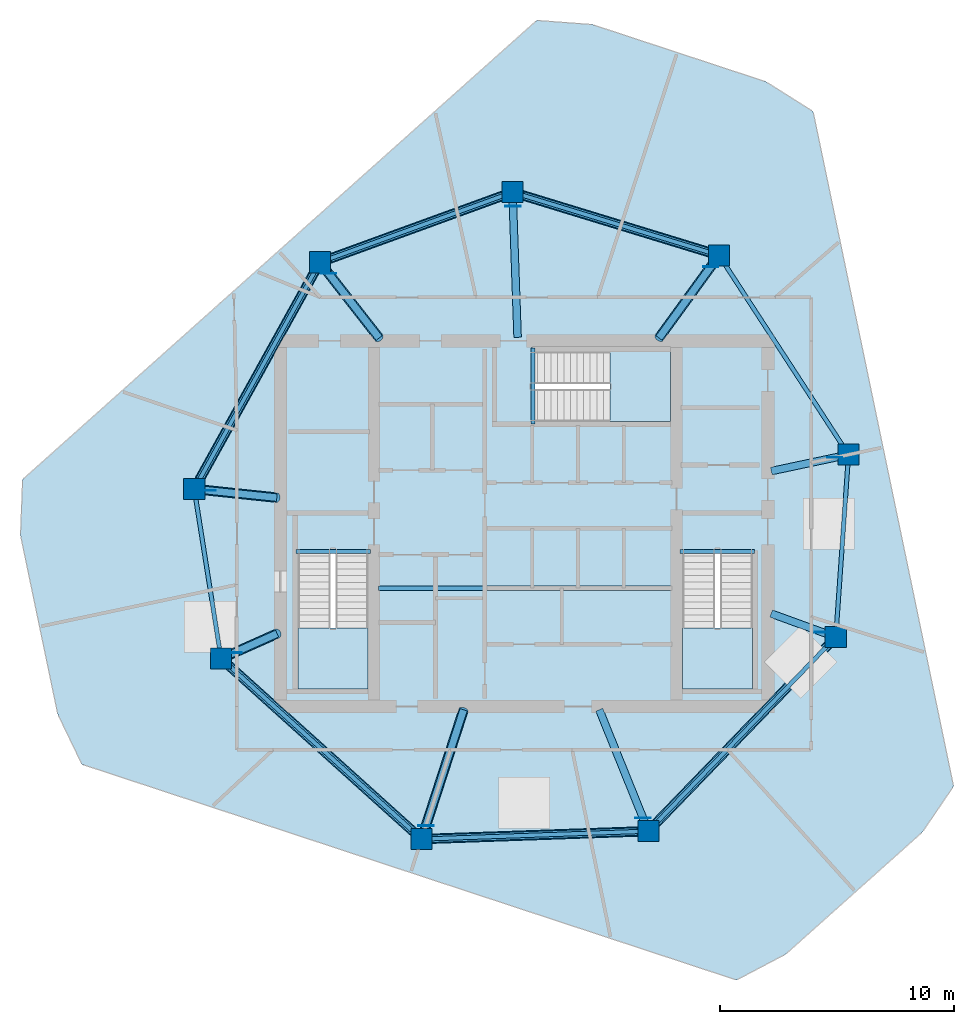
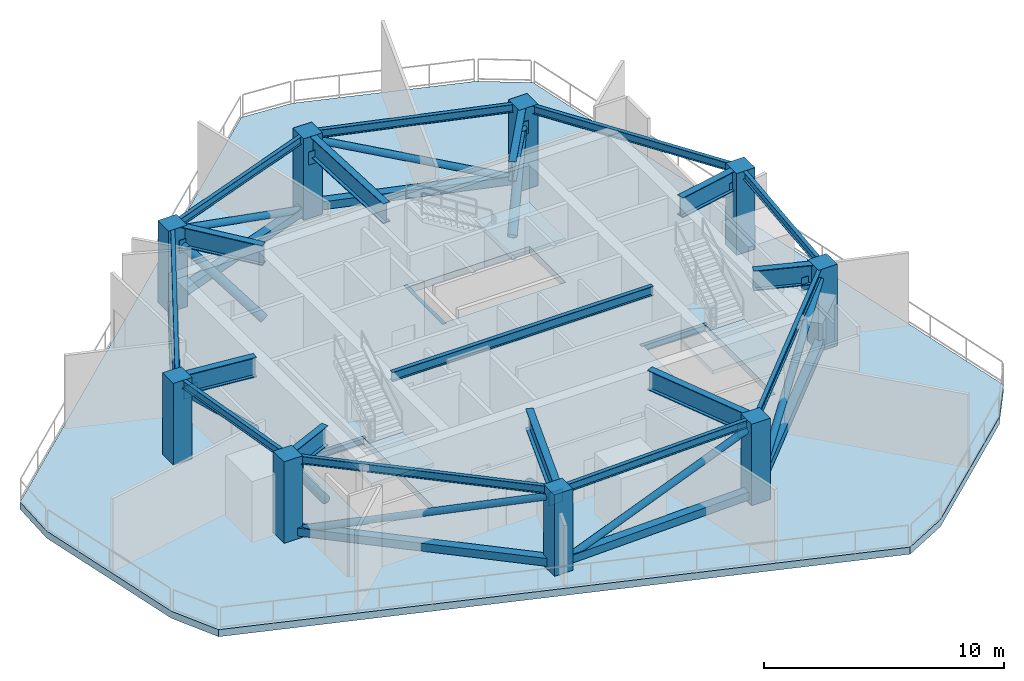
# One storey, part 1 of 6: 22 beams, 17 members, 9 columns, 9 plates, 4 slabs, 3 elements without a shape of their own.
"""IFC4 building model written with IfcOpenShell, lengths in metres."""

from ifc_helpers import new_model, si_unit, direction, frame, origin, origin_2d, place, context, subcontext, project, spatial, polyline, rectangle, hollow_rectangle, hollow_circle, i_section, outline, extrude, material, layer, layer_set, material_profile, profile_set, type_object, element, aggregate, save


model = new_model("IFC4")

# Units and contexts
model_context = context("Model", 3, precision=1e-05, world=origin(), true_north=direction((0.0, 1.0)))
body_context = subcontext(model_context, "Body", "Model", "MODEL_VIEW")
ifc_project = project(units=[si_unit("LENGTHUNIT", "METRE"), si_unit("AREAUNIT", "SQUARE_METRE"), si_unit("VOLUMEUNIT", "CUBIC_METRE"), si_unit("PLANEANGLEUNIT", "RADIAN"), si_unit("MASSUNIT", "GRAM", prefix="KILO")], contexts=[model_context])

# Site, building, storey
site_placement = place(None, origin())
site = spatial("IfcSite", under=ifc_project, at=site_placement, CompositionType="ELEMENT")
building_placement = place(site_placement, origin())
building = spatial("IfcBuilding", under=site, at=building_placement, Name="Qarnah Convention Tower", CompositionType="ELEMENT")
storey_placement = place(building_placement, frame((0.0, 0.0, 223.800048828125)))
storey = spatial("IfcBuildingStorey", under=building, at=storey_placement, Name="L60", CompositionType="ELEMENT", Elevation=223.800048828125)

# Columns
ifc_material_1 = material(Name="Concrete C50/60", Category="concrete")
ifc_material_profile_1 = material_profile(ifc_material_1, rectangle(XDim=0.89990234375, YDim=0.89990234375, at=origin_2d()), Name="RC-COL-900X900")
ifc_profile_set_1 = profile_set([ifc_material_profile_1], Name="Concrete C50/60")
column_type = type_object("IfcColumnType", Name="COL-Z4-900", PredefinedType="COLUMN", material=ifc_profile_set_1)
for number, where, z_axis, x_axis, name in (
    (1, (51.041015625, 29.342041015625, 0.0), (0.0, 0.0, 1.0), (1.0, 0.0, 0.0), "L60 plumb column PC-Z4-01"),
    (2, (45.51708984375, 37.847900390625, 0.0), (0.0, 0.0, 1.0), (1.0, 0.0, 0.0), "L60 plumb column PC-Z4-02"),
    (3, (36.7060546875, 40.541015625, 0.0), (0.0, 0.0, 1.0), (1.0, 0.0, 0.0), "L60 plumb column PC-Z4-03"),
    (4, (28.488037109375, 37.550048828125, 0.0), (0.0, 0.0, 1.0), (1.0, 0.0, 0.0), "L60 plumb column PC-Z4-04"),
    (5, (23.1279296875, 27.87890625, 0.0), (0.0, 0.0, 1.0), (1.0, 0.0, 0.0), "L60 plumb column PC-Z4-05"),
    (6, (24.27294921875, 20.64501953125, 0.0), (0.0, 0.0, 1.0), (1.0, 0.0, 0.0), "L60 plumb column PC-Z4-06"),
    (7, (32.826904296875, 12.943115234375, 0.0), (0.0, 0.0, 1.0), (1.0, 0.0, 0.0), "L60 plumb column PC-Z4-07"),
    (8, (42.5009765625, 13.280029296875, 0.0), (0.0, 0.0, 1.0), (1.0, 0.0, 0.0), "L60 plumb column PC-Z4-08"),
    (9, (50.4970703125, 21.56005859375, 0.0), (0.0, 0.0, 1.0), (1.0, 0.0, 0.0), "L60 plumb column PC-Z4-09"),
):
    element("IfcColumn", number, at=place(storey_placement, frame(where, z_axis=z_axis, x_axis=x_axis)), inside=storey, type_object=column_type, Name=name, PredefinedType="COLUMN", context=body_context, shape_type="SweptSolid", body=[
        extrude(rectangle(XDim=0.89990234375, YDim=0.89990234375, at=origin_2d()), origin(), (0.0, 0.0, 1.0), 4.139892578125),
    ])

# Beams
ifc_material_2 = material(Name="Structural steel S355JR", Category="steel")
ifc_material_profile_2 = material_profile(ifc_material_2, i_section(OverallWidth=0.19189453125, OverallDepth=0.464111328125, WebThickness=0.010986328125, FlangeThickness=0.01806640625, at=origin_2d()), Name="W460X89")
ifc_profile_set_2 = profile_set([ifc_material_profile_2], Name="Structural steel S355JR")
beam_type_1 = type_object("IfcBeamType", Name="BM-CANT-W460A", PredefinedType="BEAM", material=ifc_profile_set_2)
beam_1_placement = place(storey_placement, frame((30.97998046875, 23.64990234375, 3.907958984375), z_axis=(1.0, 0.0, 0.0), x_axis=(0.0, 1.0, 0.0)))
element("IfcBeam", 10, at=beam_1_placement, inside=storey, type_object=beam_type_1, Name="L60 beam BM-L60-KC1", PredefinedType="BEAM", context=body_context, shape_type="SweptSolid", body=[
    extrude(i_section(OverallWidth=0.19189453125, OverallDepth=0.464111328125, WebThickness=0.010986328125, FlangeThickness=0.01806640625, at=origin_2d()), origin(), (0.0, 0.0, 1.0), 12.5400390625),
])
ifc_material_profile_3 = material_profile(ifc_material_2, i_section(OverallWidth=0.166015625, OverallDepth=0.31201171875, WebThickness=0.007080078125, FlangeThickness=0.010986328125, at=origin_2d()), Name="W310X45")
ifc_profile_set_3 = profile_set([ifc_material_profile_3], Name="Structural steel S355JR")
beam_type_2 = type_object("IfcBeamType", Name="BM-JST-W310", PredefinedType="JOIST", material=ifc_profile_set_3)
for number, where, z_axis, x_axis, name in (
    (11, (27.4599609375, 25.217041015625, -0.156005859375), (1.0, 0.0, 0.0), (0.0, 1.0, 0.0), "L60 stair landing trimmer beam BM-L60-ST1-TRM"),
    (12, (43.860107421875, 25.217041015625, -0.156005859375), (1.0, 0.0, 0.0), (0.0, 1.0, 0.0), "L60 stair landing trimmer beam BM-L60-ST2-TRM"),
):
    element("IfcBeam", number, at=place(storey_placement, frame(where, z_axis=z_axis, x_axis=x_axis)), inside=storey, type_object=beam_type_2, Name=name, PredefinedType="BEAM", context=body_context, shape_type="SweptSolid", body=[
        extrude(i_section(OverallWidth=0.166015625, OverallDepth=0.31201171875, WebThickness=0.007080078125, FlangeThickness=0.010986328125, at=origin_2d()), origin(), (0.0, 0.0, 1.0), 3.179931640625),
    ])
beam_2_placement = place(storey_placement, frame((37.5830078125, 30.659912109375, -0.156005859375), z_axis=(0.0, 1.0, 0.0), x_axis=(-1.0, 0.0, 0.0)))
element("IfcBeam", 13, at=beam_2_placement, inside=storey, type_object=beam_type_2, Name="L60 stair landing trimmer beam BM-L60-ST3-TRM", PredefinedType="BEAM", context=body_context, shape_type="SweptSolid", body=[
    extrude(i_section(OverallWidth=0.166015625, OverallDepth=0.31201171875, WebThickness=0.007080078125, FlangeThickness=0.010986328125, at=origin_2d()), origin(), (0.0, 0.0, 1.0), 3.239990234375),
])
ifc_material_profile_4 = material_profile(ifc_material_2, i_section(OverallWidth=0.179931640625, OverallDepth=0.39990234375, WebThickness=0.009033203125, FlangeThickness=0.013916015625, at=origin_2d()), Name="IPE400")
ifc_profile_set_4 = profile_set([ifc_material_profile_4], Name="Structural steel S355JR")
beam_type_3 = type_object("IfcBeamType", Name="BM-SPN-IPE400", PredefinedType="SPANDREL", material=ifc_profile_set_4)
beam_3_placement = place(storey_placement, frame((50.801025390625, 29.7109375, 3.93994140625), z_axis=(-0.544586178954, 0.838704890705, 0.0), x_axis=(-0.838704890705, -0.544586178954, 0.0)))
element("IfcBeam", 14, at=beam_3_placement, inside=storey, type_object=beam_type_3, Name="L60 spandrel BM-L60-SPN-01", PredefinedType="SPANDREL", context=body_context, shape_type="SweptSolid", body=[
    extrude(i_section(OverallWidth=0.179931640625, OverallDepth=0.39990234375, WebThickness=0.009033203125, FlangeThickness=0.013916015625, at=origin_2d()), origin(), (0.0, 0.0, 1.0), 9.261962890625),
])
beam_4_placement = place(storey_placement, frame((45.095947265625, 37.97705078125, 3.93994140625), z_axis=(-0.956348614223, 0.292228212318, 0.0), x_axis=(-0.292228212318, -0.956348614223, 0.0)))
element("IfcBeam", 15, at=beam_4_placement, inside=storey, type_object=beam_type_3, Name="L60 spandrel BM-L60-SPN-02", PredefinedType="SPANDREL", context=body_context, shape_type="SweptSolid", body=[
    extrude(i_section(OverallWidth=0.179931640625, OverallDepth=0.39990234375, WebThickness=0.009033203125, FlangeThickness=0.013916015625, at=origin_2d()), origin(), (0.0, 0.0, 1.0), 8.332763671875),
])
beam_5_placement = place(storey_placement, frame((36.29296875, 40.39111328125, 3.93994140625), z_axis=(-0.939665594936, -0.342094387112, 0.0), x_axis=(0.342094387112, -0.939665594936, 0.0)))
element("IfcBeam", 16, at=beam_5_placement, inside=storey, type_object=beam_type_3, Name="L60 spandrel BM-L60-SPN-03", PredefinedType="SPANDREL", context=body_context, shape_type="SweptSolid", body=[
    extrude(i_section(OverallWidth=0.179931640625, OverallDepth=0.39990234375, WebThickness=0.009033203125, FlangeThickness=0.013916015625, at=origin_2d()), origin(), (0.0, 0.0, 1.0), 7.86669921875),
])
beam_6_placement = place(storey_placement, frame((28.27490234375, 37.1650390625, 3.93994140625), z_axis=(-0.48479945923, -0.874625339406, 0.0), x_axis=(0.874625339406, -0.48479945923, 0.0)))
element("IfcBeam", 17, at=beam_6_placement, inside=storey, type_object=beam_type_3, Name="L60 spandrel BM-L60-SPN-04", PredefinedType="SPANDREL", context=body_context, shape_type="SweptSolid", body=[
    extrude(i_section(OverallWidth=0.179931640625, OverallDepth=0.39990234375, WebThickness=0.009033203125, FlangeThickness=0.013916015625, at=origin_2d()), origin(), (0.0, 0.0, 1.0), 10.177001953125),
])
beam_7_placement = place(storey_placement, frame((23.197021484375, 27.444091796875, 3.93994140625), z_axis=(0.156301127146, -0.987709450017, 0.0), x_axis=(0.987709450017, 0.156301127146, 0.0)))
element("IfcBeam", 18, at=beam_7_placement, inside=storey, type_object=beam_type_3, Name="L60 spandrel BM-L60-SPN-05", PredefinedType="SPANDREL", context=body_context, shape_type="SweptSolid", body=[
    extrude(i_section(OverallWidth=0.179931640625, OverallDepth=0.39990234375, WebThickness=0.009033203125, FlangeThickness=0.013916015625, at=origin_2d()), origin(), (0.0, 0.0, 1.0), 6.443115234375),
])
beam_8_placement = place(storey_placement, frame((24.60009765625, 20.35107421875, 3.93994140625), z_axis=(0.743102275255, -0.669177860147, 0.0), x_axis=(0.669177860147, 0.743102275255, 0.0)))
element("IfcBeam", 19, at=beam_8_placement, inside=storey, type_object=beam_type_3, Name="L60 spandrel BM-L60-SPN-06", PredefinedType="SPANDREL", context=body_context, shape_type="SweptSolid", body=[
    extrude(i_section(OverallWidth=0.179931640625, OverallDepth=0.39990234375, WebThickness=0.009033203125, FlangeThickness=0.013916015625, at=origin_2d()), origin(), (0.0, 0.0, 1.0), 10.630859375),
])
beam_9_placement = place(storey_placement, frame((33.26708984375, 12.9580078125, 3.93994140625), z_axis=(0.999391645542, 0.034876049374, 0.0), x_axis=(-0.034876049374, 0.999391645542, 0.0)))
element("IfcBeam", 20, at=beam_9_placement, inside=storey, type_object=beam_type_3, Name="L60 spandrel BM-L60-SPN-07", PredefinedType="SPANDREL", context=body_context, shape_type="SweptSolid", body=[
    extrude(i_section(OverallWidth=0.179931640625, OverallDepth=0.39990234375, WebThickness=0.009033203125, FlangeThickness=0.013916015625, at=origin_2d()), origin(), (0.0, 0.0, 1.0), 8.79931640625),
])
beam_10_placement = place(storey_placement, frame((42.806884765625, 13.596923828125, 3.93994140625), z_axis=(0.694676898282, 0.719321907767, 0.0), x_axis=(-0.719321907767, 0.694676898282, 0.0)))
element("IfcBeam", 21, at=beam_10_placement, inside=storey, type_object=beam_type_3, Name="L60 spandrel BM-L60-SPN-08", PredefinedType="SPANDREL", context=body_context, shape_type="SweptSolid", body=[
    extrude(i_section(OverallWidth=0.179931640625, OverallDepth=0.39990234375, WebThickness=0.009033203125, FlangeThickness=0.013916015625, at=origin_2d()), origin(), (0.0, 0.0, 1.0), 10.62939453125),
])
beam_11_placement = place(storey_placement, frame((50.528076171875, 21.9990234375, 3.93994140625), z_axis=(0.069635000818, 0.997572537042, 0.0), x_axis=(-0.997572537042, 0.069635000818, 0.0)))
element("IfcBeam", 22, at=beam_11_placement, inside=storey, type_object=beam_type_3, Name="L60 spandrel BM-L60-SPN-09", PredefinedType="SPANDREL", context=body_context, shape_type="SweptSolid", body=[
    extrude(i_section(OverallWidth=0.179931640625, OverallDepth=0.39990234375, WebThickness=0.009033203125, FlangeThickness=0.013916015625, at=origin_2d()), origin(), (0.0, 0.0, 1.0), 6.9208984375),
])
ifc_material_profile_5 = material_profile(ifc_material_2, i_section(OverallWidth=0.320068359375, OverallDepth=1.0, WebThickness=0.02197265625, FlangeThickness=0.033935546875, at=origin_2d()), Name="W1000X371")
ifc_profile_set_5 = profile_set([ifc_material_profile_5], Name="Structural steel S355JR")
beam_type_4 = type_object("IfcBeamType", Name="BM-TG-W1000B", PredefinedType="USERDEFINED", material=ifc_profile_set_5)
beam_12_placement = place(storey_placement, frame((47.7470703125, 28.64208984375, 3.639892578125), z_axis=(0.978136876062, 0.207962140033, 0.0), x_axis=(-0.207962140033, 0.978136876062, 0.0)))
element("IfcBeam", 23, at=beam_12_placement, inside=storey, type_object=beam_type_4, Name="L60 transfer girder BM-L60-TG-01", ObjectType="TRANSFER_GIRDER", PredefinedType="USERDEFINED", context=body_context, shape_type="SweptSolid", body=[
    extrude(i_section(OverallWidth=0.320068359375, OverallDepth=1.0, WebThickness=0.02197265625, FlangeThickness=0.033935546875, at=origin_2d()), origin(), (0.0, 0.0, 1.0), 2.937255859375),
])
beam_13_placement = place(storey_placement, frame((42.955078125, 34.321044921875, 3.639892578125), z_axis=(0.587650613849, 0.809114797815, 0.0), x_axis=(-0.809114797815, 0.587650613849, 0.0)))
element("IfcBeam", 24, at=beam_13_placement, inside=storey, type_object=beam_type_4, Name="L60 transfer girder BM-L60-TG-02", ObjectType="TRANSFER_GIRDER", PredefinedType="USERDEFINED", context=body_context, shape_type="SweptSolid", body=[
    extrude(i_section(OverallWidth=0.320068359375, OverallDepth=1.0, WebThickness=0.02197265625, FlangeThickness=0.033935546875, at=origin_2d()), origin(), (0.0, 0.0, 1.0), 3.928955078125),
])
beam_14_placement = place(storey_placement, frame((36.923095703125, 34.35009765625, 3.639892578125), z_axis=(-0.035067624348, 0.999384941713, 0.0), x_axis=(-0.999384941713, -0.035067624348, 0.0)))
element("IfcBeam", 25, at=beam_14_placement, inside=storey, type_object=beam_type_4, Name="L60 transfer girder BM-L60-TG-03", ObjectType="TRANSFER_GIRDER", PredefinedType="USERDEFINED", context=body_context, shape_type="SweptSolid", body=[
    extrude(i_section(OverallWidth=0.320068359375, OverallDepth=1.0, WebThickness=0.02197265625, FlangeThickness=0.033935546875, at=origin_2d()), origin(), (0.0, 0.0, 1.0), 5.7646484375),
])
beam_15_placement = place(storey_placement, frame((31.013916015625, 34.318115234375, 3.639892578125), z_axis=(-0.615807906571, 0.787896327066, 0.0), x_axis=(-0.787896327066, -0.615807906571, 0.0)))
element("IfcBeam", 26, at=beam_15_placement, inside=storey, type_object=beam_type_4, Name="L60 transfer girder BM-L60-TG-04", ObjectType="TRANSFER_GIRDER", PredefinedType="USERDEFINED", context=body_context, shape_type="SweptSolid", body=[
    extrude(i_section(OverallWidth=0.320068359375, OverallDepth=1.0, WebThickness=0.02197265625, FlangeThickness=0.033935546875, at=origin_2d()), origin(), (0.0, 0.0, 1.0), 3.671630859375),
])
beam_16_placement = place(storey_placement, frame((26.65087890625, 27.509033203125, 3.639892578125), z_axis=(-0.99453335923, 0.104419334317, 0.0), x_axis=(-0.104419334317, -0.99453335923, 0.0)))
element("IfcBeam", 27, at=beam_16_placement, inside=storey, type_object=beam_type_4, Name="L60 transfer girder BM-L60-TG-05", ObjectType="TRANSFER_GIRDER", PredefinedType="USERDEFINED", context=body_context, shape_type="SweptSolid", body=[
    extrude(i_section(OverallWidth=0.320068359375, OverallDepth=1.0, WebThickness=0.02197265625, FlangeThickness=0.033935546875, at=origin_2d()), origin(), (0.0, 0.0, 1.0), 3.112060546875),
])
beam_17_placement = place(storey_placement, frame((26.6630859375, 21.708984375, 3.639892578125), z_axis=(-0.913585734164, -0.406646168471, 0.0), x_axis=(0.406646168471, -0.913585734164, 0.0)))
element("IfcBeam", 28, at=beam_17_placement, inside=storey, type_object=beam_type_4, Name="L60 transfer girder BM-L60-TG-06", ObjectType="TRANSFER_GIRDER", PredefinedType="USERDEFINED", context=body_context, shape_type="SweptSolid", body=[
    extrude(i_section(OverallWidth=0.320068359375, OverallDepth=1.0, WebThickness=0.02197265625, FlangeThickness=0.033935546875, at=origin_2d()), origin(), (0.0, 0.0, 1.0), 2.18603515625),
])
beam_18_placement = place(storey_placement, frame((34.618896484375, 18.45703125, 3.639892578125), z_axis=(-0.309055218988, -0.951044095516, 0.0), x_axis=(0.951044095516, -0.309055218988, 0.0)))
element("IfcBeam", 29, at=beam_18_placement, inside=storey, type_object=beam_type_4, Name="L60 transfer girder BM-L60-TG-07", ObjectType="TRANSFER_GIRDER", PredefinedType="USERDEFINED", context=body_context, shape_type="SweptSolid", body=[
    extrude(i_section(OverallWidth=0.320068359375, OverallDepth=1.0, WebThickness=0.02197265625, FlangeThickness=0.033935546875, at=origin_2d()), origin(), (0.0, 0.0, 1.0), 5.36767578125),
])
beam_19_placement = place(storey_placement, frame((40.407958984375, 18.4609375, 3.639892578125), z_axis=(0.374620360642, -0.927178292127, 0.0), x_axis=(0.927178292127, 0.374620360642, 0.0)))
element("IfcBeam", 30, at=beam_19_placement, inside=storey, type_object=beam_type_4, Name="L60 transfer girder BM-L60-TG-08", ObjectType="TRANSFER_GIRDER", PredefinedType="USERDEFINED", context=body_context, shape_type="SweptSolid", body=[
    extrude(i_section(OverallWidth=0.320068359375, OverallDepth=1.0, WebThickness=0.02197265625, FlangeThickness=0.033935546875, at=origin_2d()), origin(), (0.0, 0.0, 1.0), 5.157470703125),
])
beam_20_placement = place(storey_placement, frame((47.740966796875, 22.56298828125, 3.639892578125), z_axis=(0.939707956932, -0.341978004671, 0.0), x_axis=(0.341978004671, 0.939707956932, 0.0)))
element("IfcBeam", 31, at=beam_20_placement, inside=storey, type_object=beam_type_4, Name="L60 transfer girder BM-L60-TG-09", ObjectType="TRANSFER_GIRDER", PredefinedType="USERDEFINED", context=body_context, shape_type="SweptSolid", body=[
    extrude(i_section(OverallWidth=0.320068359375, OverallDepth=1.0, WebThickness=0.02197265625, FlangeThickness=0.033935546875, at=origin_2d()), origin(), (0.0, 0.0, 1.0), 2.5029296875),
])

# Members
ifc_material_profile_6 = material_profile(ifc_material_2, hollow_circle(Radius=0.162109375, WallThickness=0.011962890625, at=origin_2d()), Name="CHS324X12")
ifc_profile_set_6 = profile_set([ifc_material_profile_6], Name="Structural steel S355JR")
member_type_1 = type_object("IfcMemberType", Name="MBR-BRC-CHS324", PredefinedType="BRACE", material=ifc_profile_set_6)
member_1_placement = place(storey_placement, frame((45.095947265625, 37.97705078125, 0.349853515625), z_axis=(-0.891340006042, 0.272363751731, 0.362396164952), x_axis=(-0.292228212318, -0.956348614223, 0.0)))
element("IfcMember", 32, at=member_1_placement, inside=storey, type_object=member_type_1, Name="L60 belt truss diagonal 02", PredefinedType="BRACE", context=body_context, shape_type="SweptSolid", body=[
    extrude(hollow_circle(Radius=0.162109375, WallThickness=0.011962890625, at=origin_2d()), origin(), (0.0, 0.0, 1.0), 8.9404296875),
])
member_2_placement = place(storey_placement, frame((36.29296875, 40.39111328125, 0.349853515625), z_axis=(-0.868858991335, -0.316316555304, 0.380825274919), x_axis=(0.342094387112, -0.939665594936, 0.0)))
element("IfcMember", 33, at=member_2_placement, inside=storey, type_object=member_type_1, Name="L60 belt truss diagonal 03", PredefinedType="BRACE", context=body_context, shape_type="SweptSolid", body=[
    extrude(hollow_circle(Radius=0.162109375, WallThickness=0.011962890625, at=origin_2d()), origin(), (0.0, 0.0, 1.0), 8.5078125),
])
member_3_placement = place(storey_placement, frame((28.27490234375, 37.1650390625, 0.349853515625), z_axis=(-0.461953873978, -0.833409683376, 0.303359387479), x_axis=(0.874625339406, -0.48479945923, 0.0)))
element("IfcMember", 34, at=member_3_placement, inside=storey, type_object=member_type_1, Name="L60 belt truss diagonal 04", PredefinedType="BRACE", context=body_context, shape_type="SweptSolid", body=[
    extrude(hollow_circle(Radius=0.162109375, WallThickness=0.011962890625, at=origin_2d()), origin(), (0.0, 0.0, 1.0), 10.680419921875),
])
member_4_placement = place(storey_placement, frame((24.60009765625, 20.35107421875, 0.349853515625), z_axis=(0.710823123739, -0.640109864721, 0.291530183421), x_axis=(0.669177860147, 0.743102275255, 0.0)))
element("IfcMember", 35, at=member_4_placement, inside=storey, type_object=member_type_1, Name="L60 belt truss diagonal 06", PredefinedType="BRACE", context=body_context, shape_type="SweptSolid", body=[
    extrude(hollow_circle(Radius=0.162109375, WallThickness=0.011962890625, at=origin_2d()), origin(), (0.0, 0.0, 1.0), 11.11376953125),
])
member_5_placement = place(storey_placement, frame((33.26708984375, 12.9580078125, 0.349853515625), z_axis=(0.937836443238, 0.032727940287, 0.345531022716), x_axis=(-0.034876049374, 0.999391645542, 0.0)))
element("IfcMember", 36, at=member_5_placement, inside=storey, type_object=member_type_1, Name="L60 belt truss diagonal 07", PredefinedType="BRACE", context=body_context, shape_type="SweptSolid", body=[
    extrude(hollow_circle(Radius=0.162109375, WallThickness=0.011962890625, at=origin_2d()), origin(), (0.0, 0.0, 1.0), 9.376953125),
])
member_6_placement = place(storey_placement, frame((42.806884765625, 13.596923828125, 0.349853515625), z_axis=(0.664493157518, 0.688067340293, 0.291568480523), x_axis=(-0.719321907767, 0.694676898282, 0.0)))
element("IfcMember", 37, at=member_6_placement, inside=storey, type_object=member_type_1, Name="L60 belt truss diagonal 08", PredefinedType="BRACE", context=body_context, shape_type="SweptSolid", body=[
    extrude(hollow_circle(Radius=0.162109375, WallThickness=0.011962890625, at=origin_2d()), origin(), (0.0, 0.0, 1.0), 11.1123046875),
])
ifc_material_profile_7 = material_profile(ifc_material_2, hollow_circle(Radius=0.202880859375, WallThickness=0.01611328125, at=origin_2d()), Name="CHS406X16")
ifc_profile_set_7 = profile_set([ifc_material_profile_7], Name="Structural steel S355JR")
member_type_2 = type_object("IfcMemberType", Name="MBR-BRC-CHS406", PredefinedType="BRACE", material=ifc_profile_set_7)
member_7_placement = place(storey_placement, frame((42.955078125, 34.321044921875, 0.349853515625), z_axis=(0.47682677633, 0.656525478967, 0.584474568174), x_axis=(-0.809114797815, 0.587650613849, 0.0)))
element("IfcMember", 38, at=member_7_placement, inside=storey, type_object=member_type_2, Name="L60 outrigger truss diagonal 02", PredefinedType="BRACE", context=body_context, shape_type="SweptSolid", body=[
    extrude(hollow_circle(Radius=0.202880859375, WallThickness=0.01611328125, at=origin_2d()), origin(), (0.0, 0.0, 1.0), 4.842041015625),
])
member_8_placement = place(storey_placement, frame((31.013916015625, 34.318115234375, 0.349853515625), z_axis=(-0.487732310302, 0.624029818029, 0.610494864596), x_axis=(-0.787896327066, -0.615807906571, 0.0)))
element("IfcMember", 39, at=member_8_placement, inside=storey, type_object=member_type_2, Name="L60 outrigger truss diagonal 04", PredefinedType="BRACE", context=body_context, shape_type="SweptSolid", body=[
    extrude(hollow_circle(Radius=0.202880859375, WallThickness=0.01611328125, at=origin_2d()), origin(), (0.0, 0.0, 1.0), 4.6357421875),
])
member_9_placement = place(storey_placement, frame((26.65087890625, 27.509033203125, 0.349853515625), z_axis=(-0.735777057348, 0.077251657595, 0.672803316935), x_axis=(-0.104419334317, -0.99453335923, 0.0)))
element("IfcMember", 40, at=member_9_placement, inside=storey, type_object=member_type_2, Name="L60 outrigger truss diagonal 05", PredefinedType="BRACE", context=body_context, shape_type="SweptSolid", body=[
    extrude(hollow_circle(Radius=0.202880859375, WallThickness=0.01611328125, at=origin_2d()), origin(), (0.0, 0.0, 1.0), 4.206298828125),
])
member_10_placement = place(storey_placement, frame((26.6630859375, 21.708984375, 0.349853515625), z_axis=(-0.558464247428, -0.248578034827, 0.791408014204), x_axis=(0.406646168471, -0.913585734164, 0.0)))
element("IfcMember", 41, at=member_10_placement, inside=storey, type_object=member_type_2, Name="L60 outrigger truss diagonal 06", PredefinedType="BRACE", context=body_context, shape_type="SweptSolid", body=[
    extrude(hollow_circle(Radius=0.202880859375, WallThickness=0.01611328125, at=origin_2d()), origin(), (0.0, 0.0, 1.0), 3.575927734375),
])
member_11_placement = place(storey_placement, frame((34.618896484375, 18.45703125, 0.349853515625), z_axis=(-0.273384848098, -0.841276993926, 0.466383687881), x_axis=(0.951044095516, -0.309055218988, 0.0)))
element("IfcMember", 42, at=member_11_placement, inside=storey, type_object=member_type_2, Name="L60 outrigger truss diagonal 07", PredefinedType="BRACE", context=body_context, shape_type="SweptSolid", body=[
    extrude(hollow_circle(Radius=0.202880859375, WallThickness=0.01611328125, at=origin_2d()), origin(), (0.0, 0.0, 1.0), 6.068115234375),
])
ifc_material_profile_8 = material_profile(ifc_material_2, hollow_rectangle(XDim=0.39990234375, YDim=0.39990234375, WallThickness=0.01611328125, at=origin_2d()), Name="HSS400X400X16")
ifc_profile_set_8 = profile_set([ifc_material_profile_8], Name="Structural steel S355JR")
member_type_3 = type_object("IfcMemberType", Name="MBR-CHD-HSS400", PredefinedType="CHORD", material=ifc_profile_set_8)
member_12_placement = place(storey_placement, frame((45.095947265625, 37.97705078125, 0.349853515625), z_axis=(-0.956348614223, 0.292228212318, 0.0), x_axis=(-0.292228212318, -0.956348614223, 0.0)))
element("IfcMember", 43, at=member_12_placement, inside=storey, type_object=member_type_3, Name="L60 belt truss bottom chord 02", PredefinedType="CHORD", context=body_context, shape_type="SweptSolid", body=[
    extrude(hollow_rectangle(XDim=0.39990234375, YDim=0.39990234375, WallThickness=0.01611328125, at=origin_2d()), origin(), (0.0, 0.0, 1.0), 8.332763671875),
])
member_13_placement = place(storey_placement, frame((36.29296875, 40.39111328125, 0.349853515625), z_axis=(-0.939665594936, -0.342094387112, 0.0), x_axis=(0.342094387112, -0.939665594936, 0.0)))
element("IfcMember", 44, at=member_13_placement, inside=storey, type_object=member_type_3, Name="L60 belt truss bottom chord 03", PredefinedType="CHORD", context=body_context, shape_type="SweptSolid", body=[
    extrude(hollow_rectangle(XDim=0.39990234375, YDim=0.39990234375, WallThickness=0.01611328125, at=origin_2d()), origin(), (0.0, 0.0, 1.0), 7.86669921875),
])
member_14_placement = place(storey_placement, frame((28.27490234375, 37.1650390625, 0.349853515625), z_axis=(-0.48479945923, -0.874625339406, 0.0), x_axis=(0.874625339406, -0.48479945923, 0.0)))
element("IfcMember", 45, at=member_14_placement, inside=storey, type_object=member_type_3, Name="L60 belt truss bottom chord 04", PredefinedType="CHORD", context=body_context, shape_type="SweptSolid", body=[
    extrude(hollow_rectangle(XDim=0.39990234375, YDim=0.39990234375, WallThickness=0.01611328125, at=origin_2d()), origin(), (0.0, 0.0, 1.0), 10.177001953125),
])
member_15_placement = place(storey_placement, frame((24.60009765625, 20.35107421875, 0.349853515625), z_axis=(0.743102275255, -0.669177860147, 0.0), x_axis=(0.669177860147, 0.743102275255, 0.0)))
element("IfcMember", 46, at=member_15_placement, inside=storey, type_object=member_type_3, Name="L60 belt truss bottom chord 06", PredefinedType="CHORD", context=body_context, shape_type="SweptSolid", body=[
    extrude(hollow_rectangle(XDim=0.39990234375, YDim=0.39990234375, WallThickness=0.01611328125, at=origin_2d()), origin(), (0.0, 0.0, 1.0), 10.630859375),
])
member_16_placement = place(storey_placement, frame((33.26708984375, 12.9580078125, 0.349853515625), z_axis=(0.999391645542, 0.034876049374, 0.0), x_axis=(-0.034876049374, 0.999391645542, 0.0)))
element("IfcMember", 47, at=member_16_placement, inside=storey, type_object=member_type_3, Name="L60 belt truss bottom chord 07", PredefinedType="CHORD", context=body_context, shape_type="SweptSolid", body=[
    extrude(hollow_rectangle(XDim=0.39990234375, YDim=0.39990234375, WallThickness=0.01611328125, at=origin_2d()), origin(), (0.0, 0.0, 1.0), 8.79931640625),
])
member_17_placement = place(storey_placement, frame((42.806884765625, 13.596923828125, 0.349853515625), z_axis=(0.694676898282, 0.719321907767, 0.0), x_axis=(-0.719321907767, 0.694676898282, 0.0)))
element("IfcMember", 48, at=member_17_placement, inside=storey, type_object=member_type_3, Name="L60 belt truss bottom chord 08", PredefinedType="CHORD", context=body_context, shape_type="SweptSolid", body=[
    extrude(hollow_rectangle(XDim=0.39990234375, YDim=0.39990234375, WallThickness=0.01611328125, at=origin_2d()), origin(), (0.0, 0.0, 1.0), 10.62939453125),
])

# Plates
ifc_layer_1 = layer(ifc_material_2, 0.028076171875)
ifc_layer_set_1 = layer_set([ifc_layer_1], Name="Structural steel S355JR")
plate_type = type_object("IfcPlateType", Name="PLT-FLANGE-28", PredefinedType="USERDEFINED", material=ifc_layer_set_1)
for number, where, z_axis, x_axis, name in (
    (49, (50.4541015625, 29.217041015625, 2.85498046875), (0.0, 0.0, 1.0), (1.0, 0.0, 0.0), "L60 outrigger node flange plate 01"),
    (50, (45.1640625, 37.362060546875, 2.85498046875), (0.0, 0.0, 1.0), (1.0, 0.0, 0.0), "L60 outrigger node flange plate 02"),
    (51, (36.72705078125, 39.94189453125, 2.85498046875), (0.0, 0.0, 1.0), (1.0, 0.0, 0.0), "L60 outrigger node flange plate 03"),
    (52, (28.85791015625, 37.077880859375, 2.85498046875), (0.0, 0.0, 1.0), (1.0, 0.0, 0.0), "L60 outrigger node flange plate 04"),
    (53, (23.72412109375, 27.81591796875, 2.85498046875), (0.0, 0.0, 1.0), (1.0, 0.0, 0.0), "L60 outrigger node flange plate 05"),
    (54, (24.821044921875, 20.888916015625, 2.85498046875), (0.0, 0.0, 1.0), (1.0, 0.0, 0.0), "L60 outrigger node flange plate 06"),
    (55, (33.012939453125, 13.512939453125, 2.85498046875), (0.0, 0.0, 1.0), (1.0, 0.0, 0.0), "L60 outrigger node flange plate 07"),
    (56, (42.27587890625, 13.8369140625, 2.85498046875), (0.0, 0.0, 1.0), (1.0, 0.0, 0.0), "L60 outrigger node flange plate 08"),
    (57, (49.93310546875, 21.76611328125, 2.85498046875), (0.0, 0.0, 1.0), (1.0, 0.0, 0.0), "L60 outrigger node flange plate 09"),
):
    element("IfcPlate", number, at=place(storey_placement, frame(where, z_axis=z_axis, x_axis=x_axis)), inside=storey, type_object=plate_type, Name=name, ObjectType="FLANGE_PLATE", PredefinedType="USERDEFINED", context=body_context, shape_type="SweptSolid", body=[
        extrude(rectangle(XDim=0.64990234375, YDim=0.028076171875, at=origin_2d()), origin(), (0.0, 0.0, 1.0), 0.64990234375),
    ])

# Stair, slab
stair_type = type_object("IfcStairType", Name="STR-PLT", PredefinedType="HALF_TURN_STAIR", material=ifc_material_1)
stair_1_placement = place(storey_placement, origin())
stair_1 = element("IfcStair", 58, at=stair_1_placement, inside=storey, type_object=stair_type, Name="L60 Core exit stair ST-1", PredefinedType="HALF_TURN_STAIR")
ifc_layer_2 = layer(ifc_material_1, 0.199951171875)
ifc_layer_set_2 = layer_set([ifc_layer_2], Name="Concrete C50/60")
slab_type_1 = type_object("IfcSlabType", Name="SLB-LANDING-200", PredefinedType="LANDING", material=ifc_layer_set_2)
slab_1_placement = place(storey_placement, frame((0.0, 0.0, 2.050048828125)))
slab_1 = element("IfcSlab", 59, at=slab_1_placement, type_object=slab_type_1, Name="ST-1 landing 1", PredefinedType="LANDING", context=body_context, shape_type="SweptSolid", body=[
    extrude(outline(polyline([(27.550048828125, 21.93994140625), (27.550048828125, 19.35009765625), (30.550048828125, 19.35009765625), (30.550048828125, 21.93994140625), (27.550048828125, 21.93994140625)])), origin(), (0.0, 0.0, 1.0), 0.199951171875),
])
aggregate(stair_1, [slab_1])

stair_2_placement = place(storey_placement, origin())
stair_2 = element("IfcStair", 60, at=stair_2_placement, inside=storey, type_object=stair_type, Name="L60 Core exit stair ST-2", PredefinedType="HALF_TURN_STAIR")
slab_2_placement = place(storey_placement, frame((0.0, 0.0, 2.050048828125)))
slab_2 = element("IfcSlab", 61, at=slab_2_placement, type_object=slab_type_1, Name="ST-2 landing 1", PredefinedType="LANDING", context=body_context, shape_type="SweptSolid", body=[
    extrude(outline(polyline([(43.949951171875, 21.93994140625), (43.949951171875, 19.35009765625), (46.949951171875, 19.35009765625), (46.949951171875, 21.93994140625), (43.949951171875, 21.93994140625)])), origin(), (0.0, 0.0, 1.0), 0.199951171875),
])
aggregate(stair_2, [slab_2])

stair_3_placement = place(storey_placement, origin())
stair_3 = element("IfcStair", 62, at=stair_3_placement, inside=storey, type_object=stair_type, Name="L60 Core exit stair ST-3", PredefinedType="HALF_TURN_STAIR")
slab_3_placement = place(storey_placement, frame((0.0, 0.0, 2.050048828125)))
slab_3 = element("IfcSlab", 63, at=slab_3_placement, type_object=slab_type_1, Name="ST-3 landing 1", PredefinedType="LANDING", context=body_context, shape_type="SweptSolid", body=[
    extrude(outline(polyline([(40.860107421875, 30.75), (43.449951171875, 30.75), (43.449951171875, 33.75), (40.860107421875, 33.75), (40.860107421875, 30.75)])), origin(), (0.0, 0.0, 1.0), 0.199951171875),
])
aggregate(stair_3, [slab_3])

# Slab
ifc_layer_3 = layer(ifc_material_1, 0.360107421875)
ifc_layer_set_3 = layer_set([ifc_layer_3], Name="Concrete C50/60")
slab_type_2 = type_object("IfcSlabType", Name="SLB-PLT-360", PredefinedType="FLOOR", material=ifc_layer_set_3)
slab_4_placement = place(storey_placement, frame((0.0, 0.0, -0.360107421875)))
element("IfcSlab", 64, at=slab_4_placement, inside=storey, type_object=slab_type_2, Name="L60 structural floor slab", PredefinedType="FLOOR", context=body_context, shape_type="SweptSolid", body=[
    extrude(outline(polyline([(37.740966796875, 47.868896484375), (15.806884765625, 28.284912109375), (15.715087890625, 25.916015625), (17.305908203125, 18.27001953125), (18.3369140625, 16.134033203125), (46.263916015625, 6.930908203125), (48.362060546875, 8.034912109375), (54.18798828125, 13.237060546875), (55.52197265625, 15.197021484375), (49.529052734375, 43.98388671875), (47.52392578125, 45.2490234375), (40.10595703125, 47.693115234375), (37.740966796875, 47.868896484375)]), holes=[polyline([(27.550048828125, 25.300048828125), (27.550048828125, 19.35009765625), (30.550048828125, 19.35009765625), (30.550048828125, 25.300048828125), (27.550048828125, 25.300048828125)]), polyline([(43.949951171875, 25.300048828125), (43.949951171875, 19.35009765625), (46.949951171875, 19.35009765625), (46.949951171875, 25.300048828125), (43.949951171875, 25.300048828125)]), polyline([(37.5, 30.75), (43.449951171875, 30.75), (43.449951171875, 33.75), (37.5, 33.75), (37.5, 30.75)])]), origin(), (0.0, 0.0, 1.0), 0.360107421875),
])

save(model, "model.ifc")
